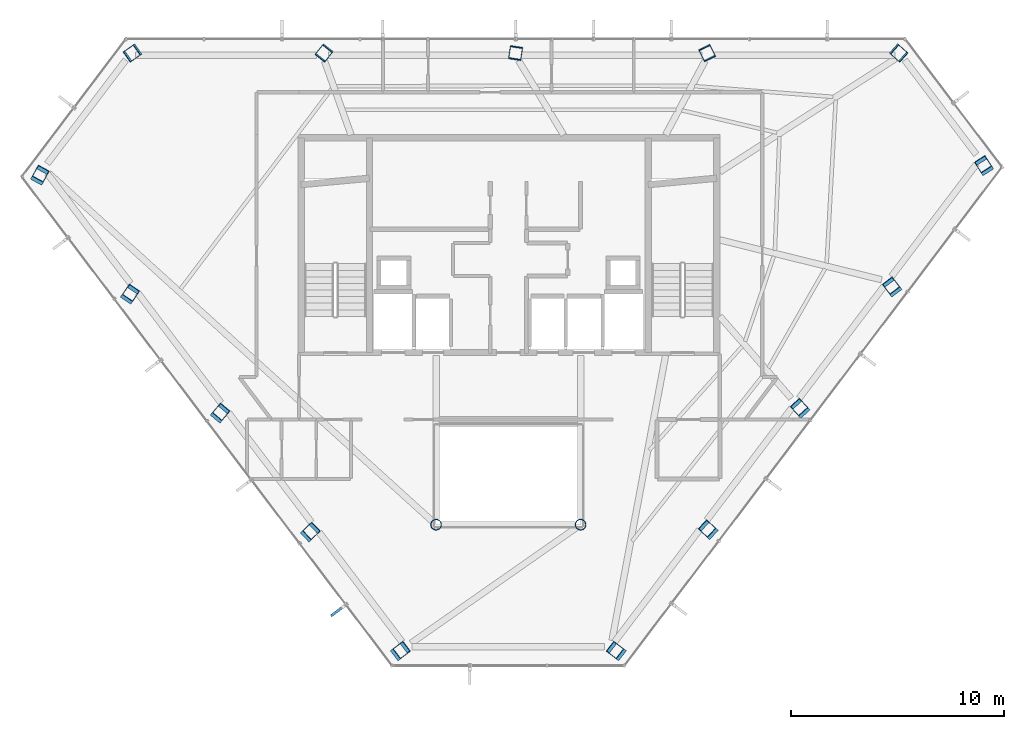
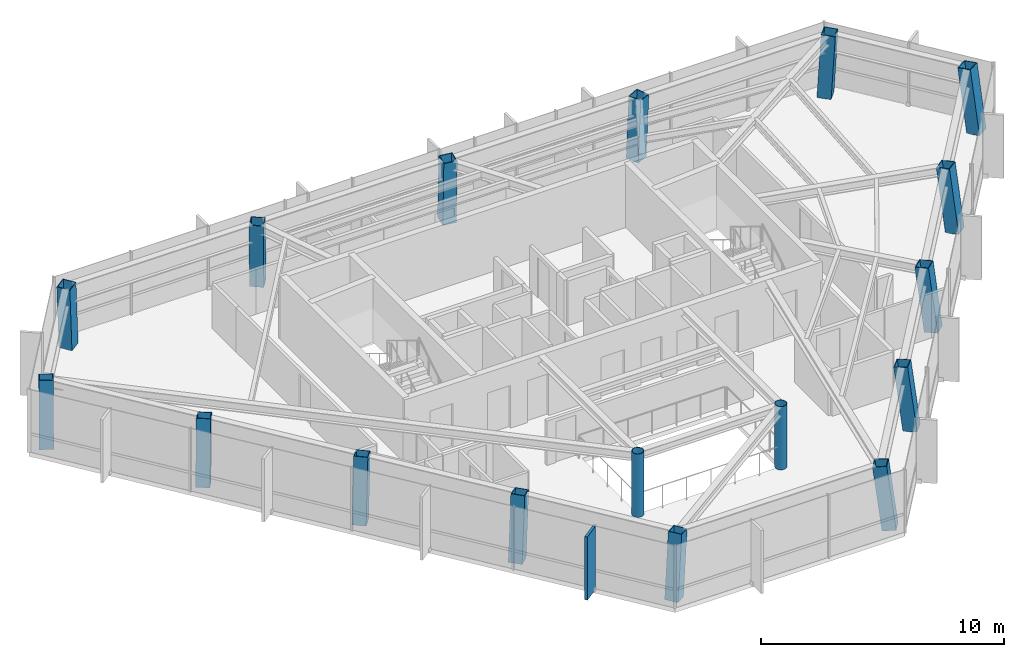
# One storey, part 1 of 25: 17 columns, 1 member, 1 element without a shape of its own.
"""IFC4 building model written with IfcOpenShell, lengths in metres."""

from ifc_helpers import new_model, si_unit, direction, frame, origin, origin_2d, place, context, subcontext, project, spatial, rectangle, hollow_rectangle, hollow_circle, extrude, material, layer, layer_set, material_profile, profile_set, type_object, element, aggregate, save


model = new_model("IFC4")

# Units and contexts
model_context = context("Model", 3, precision=1e-05, world=origin(), true_north=direction((0.0, 1.0)))
body_context = subcontext(model_context, "Body", "Model", "MODEL_VIEW")
ifc_project = project(units=[si_unit("LENGTHUNIT", "METRE"), si_unit("AREAUNIT", "SQUARE_METRE"), si_unit("VOLUMEUNIT", "CUBIC_METRE"), si_unit("PLANEANGLEUNIT", "RADIAN"), si_unit("MASSUNIT", "GRAM", prefix="KILO")], contexts=[model_context])

# Site, building, storey
site_placement = place(None, origin())
site = spatial("IfcSite", under=ifc_project, at=site_placement, CompositionType="ELEMENT")
building_placement = place(site_placement, origin())
building = spatial("IfcBuilding", under=site, at=building_placement, Name="Zarrinselat Tower", CompositionType="ELEMENT")
storey_placement = place(building_placement, frame((0.0, 0.0, 246.159912109375)))
storey = spatial("IfcBuildingStorey", under=building, at=storey_placement, Name="L62", CompositionType="ELEMENT", Elevation=246.159912109375)

# Columns
ifc_material_1 = material(Name="Steel S355J2", Category="steel")
ifc_material_profile_1 = material_profile(ifc_material_1, hollow_circle(Radius=0.25390625, WallThickness=0.02001953125, at=origin_2d()), Name="CHS 508x20")
ifc_profile_set_1 = profile_set([ifc_material_profile_1], Name="Steel S355J2")
column_type_1 = type_object("IfcColumnType", Name="COL-CHS508", PredefinedType="COLUMN", material=ifc_profile_set_1)
for number, where, z_axis, x_axis, name in (
    (1, (35.0, 25.199951171875, 0.0), (0.0, 0.0, 1.0), (1.0, 0.0, 0.0), "L62 Atrium Corner Column 1"),
    (2, (41.800048828125, 25.199951171875, 0.0), (0.0, 0.0, 1.0), (1.0, 0.0, 0.0), "L62 Atrium Corner Column 2"),
):
    element("IfcColumn", number, at=place(storey_placement, frame(where, z_axis=z_axis, x_axis=x_axis)), inside=storey, type_object=column_type_1, Name=name, PredefinedType="COLUMN", context=body_context, shape_type="SweptSolid", body=[
        extrude(hollow_circle(Radius=0.25390625, WallThickness=0.02001953125, at=origin_2d()), origin(), (0.0, 0.0, 1.0), 3.18017578125),
    ])
ifc_material_2 = material(Name="Steel S355J2", Category="steel")
ifc_material_profile_2 = material_profile(ifc_material_2, hollow_rectangle(XDim=0.60009765625, YDim=0.60009765625, WallThickness=0.030029296875, at=origin_2d()), Name="SHS 600x600x30")
ifc_profile_set_2 = profile_set([ifc_material_profile_2], Name="Steel S355J2")
column_type_2 = type_object("IfcColumnType", Name="COL-SHS600", PredefinedType="COLUMN", material=ifc_profile_set_2)
column_1_placement = place(storey_placement, frame((56.74560546875, 47.4111328125, 0.0), z_axis=(0.041162596694, -0.03664007676, 0.99848041814), x_axis=(0.664881694145, 0.746948681498, 0.0)))
element("IfcColumn", 3, at=column_1_placement, inside=storey, type_object=column_type_2, Name="L62 Framed-Tube Column T01", PredefinedType="COLUMN", context=body_context, shape_type="SweptSolid", body=[
    extrude(hollow_rectangle(XDim=0.60009765625, YDim=0.60009765625, WallThickness=0.030029296875, at=origin_2d()), origin(), (0.0, 0.0, 1.0), 3.18505859375),
])
column_2_placement = place(storey_placement, frame((47.7451171875, 47.4111328125, 0.0), z_axis=(0.017795734664, -0.036665349869, 0.999169136807), x_axis=(0.899634918782, 0.436642889451, 0.0)))
element("IfcColumn", 4, at=column_2_placement, inside=storey, type_object=column_type_2, Name="L62 Framed-Tube Column T02", PredefinedType="COLUMN", context=body_context, shape_type="SweptSolid", body=[
    extrude(hollow_rectangle(XDim=0.60009765625, YDim=0.60009765625, WallThickness=0.030029296875, at=origin_2d()), origin(), (0.0, 0.0, 1.0), 3.182861328125),
])
column_3_placement = place(storey_placement, frame((38.744873046875, 47.4111328125, 0.0), z_axis=(-0.005677033238, -0.036670566053, 0.999311283274), x_axis=(0.98822785309, -0.152989249223, 0.0)))
element("IfcColumn", 5, at=column_3_placement, inside=storey, type_object=column_type_2, Name="L62 Framed-Tube Column T03", PredefinedType="COLUMN", context=body_context, shape_type="SweptSolid", body=[
    extrude(hollow_rectangle(XDim=0.60009765625, YDim=0.60009765625, WallThickness=0.030029296875, at=origin_2d()), origin(), (0.0, 0.0, 1.0), 3.182373046875),
])
column_4_placement = place(storey_placement, frame((29.744384765625, 47.4111328125, 0.0), z_axis=(-0.029140422241, -0.036655583766, 0.998903000281), x_axis=(0.782782345555, -0.622295588517, 0.0)))
element("IfcColumn", 6, at=column_4_placement, inside=storey, type_object=column_type_2, Name="L62 Framed-Tube Column T04", PredefinedType="COLUMN", context=body_context, shape_type="SweptSolid", body=[
    extrude(hollow_rectangle(XDim=0.60009765625, YDim=0.60009765625, WallThickness=0.030029296875, at=origin_2d()), origin(), (0.0, 0.0, 1.0), 3.18359375),
])
column_5_placement = place(storey_placement, frame((20.743896484375, 47.4111328125, 0.0), z_axis=(-0.05247934681, -0.036620624489, 0.997950323423), x_axis=(0.572256499627, -0.820074690888, 0.0)))
element("IfcColumn", 7, at=column_5_placement, inside=storey, type_object=column_type_2, Name="L62 Framed-Tube Column T05", PredefinedType="COLUMN", context=body_context, shape_type="SweptSolid", body=[
    extrude(hollow_rectangle(XDim=0.60009765625, YDim=0.60009765625, WallThickness=0.030029296875, at=origin_2d()), origin(), (0.0, 0.0, 1.0), 3.186767578125),
])
column_6_placement = place(storey_placement, frame((16.3232421875, 41.57568359375, 0.0), z_axis=(0.064812301761, 0.117985774684, 0.990897937485), x_axis=(-0.876466342156, 0.48146313573, 0.0)))
element("IfcColumn", 8, at=column_6_placement, inside=storey, type_object=column_type_2, Name="L62 Framed-Tube Column T06", PredefinedType="COLUMN", context=body_context, shape_type="SweptSolid", body=[
    extrude(hollow_rectangle(XDim=0.60009765625, YDim=0.60009765625, WallThickness=0.030029296875, at=origin_2d()), origin(), (0.0, 0.0, 1.0), 3.20947265625),
])
column_7_placement = place(storey_placement, frame((20.55859375, 35.98486328125, 0.0), z_axis=(0.073075454503, 0.107253453537, 0.991542573294), x_axis=(-0.826413430398, 0.563063799278, 0.0)))
element("IfcColumn", 9, at=column_7_placement, inside=storey, type_object=column_type_2, Name="L62 Framed-Tube Column T07", PredefinedType="COLUMN", context=body_context, shape_type="SweptSolid", body=[
    extrude(hollow_rectangle(XDim=0.60009765625, YDim=0.60009765625, WallThickness=0.030029296875, at=origin_2d()), origin(), (0.0, 0.0, 1.0), 3.207275390625),
])
column_8_placement = place(storey_placement, frame((24.7939453125, 30.394287109375, 0.0), z_axis=(0.081334382112, 0.096489384022, 0.992005300922), x_axis=(-0.764598124332, 0.644507337637, 0.0)))
element("IfcColumn", 10, at=column_8_placement, inside=storey, type_object=column_type_2, Name="L62 Framed-Tube Column T08", PredefinedType="COLUMN", context=body_context, shape_type="SweptSolid", body=[
    extrude(hollow_rectangle(XDim=0.60009765625, YDim=0.60009765625, WallThickness=0.030029296875, at=origin_2d()), origin(), (0.0, 0.0, 1.0), 3.205810546875),
])
column_9_placement = place(storey_placement, frame((29.029296875, 24.803466796875, 0.0), z_axis=(0.089585075305, 0.085623830479, 0.992291829018), x_axis=(-0.690943452787, 0.722908808254, 0.0)))
element("IfcColumn", 11, at=column_9_placement, inside=storey, type_object=column_type_2, Name="L62 Framed-Tube Column T09", PredefinedType="COLUMN", context=body_context, shape_type="SweptSolid", body=[
    extrude(hollow_rectangle(XDim=0.60009765625, YDim=0.60009765625, WallThickness=0.030029296875, at=origin_2d()), origin(), (0.0, 0.0, 1.0), 3.204833984375),
])
for number, where, z_axis, x_axis, name in (
    (12, (33.264892578125, 19.212646484375, 0.0), (0.097670832964, 0.074814943815, 0.992402706854), (-0.608093484943, 0.793865425353, 0.0), "L62 Framed-Tube Column T10"),
    (13, (43.53515625, 19.212646484375, 0.0), (-0.097746291632, 0.074814386892, 0.99239531941), (-0.607794654234, -0.79409423766, 0.0), "L62 Framed-Tube Column T11"),
):
    element("IfcColumn", number, at=place(storey_placement, frame(where, z_axis=z_axis, x_axis=x_axis)), inside=storey, type_object=column_type_2, Name=name, PredefinedType="COLUMN", context=body_context, shape_type="SweptSolid", body=[
        extrude(hollow_rectangle(XDim=0.60009765625, YDim=0.60009765625, WallThickness=0.030029296875, at=origin_2d()), origin(), (0.0, 0.0, 1.0), 3.20458984375),
    ])
column_10_placement = place(storey_placement, frame((47.856689453125, 24.917236328125, 0.0), z_axis=(-0.090883552994, 0.083798749617, 0.99232955683), x_axis=(-0.67787047936, -0.73518134716, 0.0)))
element("IfcColumn", 14, at=column_10_placement, inside=storey, type_object=column_type_2, Name="L62 Framed-Tube Column T12", PredefinedType="COLUMN", context=body_context, shape_type="SweptSolid", body=[
    extrude(hollow_rectangle(XDim=0.60009765625, YDim=0.60009765625, WallThickness=0.030029296875, at=origin_2d()), origin(), (0.0, 0.0, 1.0), 3.204833984375),
])
column_11_placement = place(storey_placement, frame((52.178466796875, 30.62158203125, 0.0), z_axis=(-0.084162242109, 0.092768878632, 0.992124312856), x_axis=(-0.740627546931, -0.671915795861, 0.0)))
element("IfcColumn", 15, at=column_11_placement, inside=storey, type_object=column_type_2, Name="L62 Framed-Tube Column T13", PredefinedType="COLUMN", context=body_context, shape_type="SweptSolid", body=[
    extrude(hollow_rectangle(XDim=0.60009765625, YDim=0.60009765625, WallThickness=0.030029296875, at=origin_2d()), origin(), (0.0, 0.0, 1.0), 3.205322265625),
])
column_12_placement = place(storey_placement, frame((56.5, 36.326416015625, 0.0), z_axis=(-0.077358900823, 0.101647768305, 0.991808112319), x_axis=(-0.795760000333, -0.605612105122, 0.0)))
element("IfcColumn", 16, at=column_12_placement, inside=storey, type_object=column_type_2, Name="L62 Framed-Tube Column T14", PredefinedType="COLUMN", context=body_context, shape_type="SweptSolid", body=[
    extrude(hollow_rectangle(XDim=0.60009765625, YDim=0.60009765625, WallThickness=0.030029296875, at=origin_2d()), origin(), (0.0, 0.0, 1.0), 3.20654296875),
])
column_13_placement = place(storey_placement, frame((60.821533203125, 42.03076171875, 0.0), z_axis=(-0.070474747742, 0.110582946512, 0.991365080014), x_axis=(-0.843302825125, -0.537438689653, 0.0)))
element("IfcColumn", 17, at=column_13_placement, inside=storey, type_object=column_type_2, Name="L62 Framed-Tube Column T15", PredefinedType="COLUMN", context=body_context, shape_type="SweptSolid", body=[
    extrude(hollow_rectangle(XDim=0.60009765625, YDim=0.60009765625, WallThickness=0.030029296875, at=origin_2d()), origin(), (0.0, 0.0, 1.0), 3.207763671875),
])

# Curtain wall, member
ifc_material_3 = material(Name="Extruded Aluminium Alloy EN AW-6063 T6", Category="aluminium")
ifc_layer = layer(ifc_material_3, 0.169921875)
ifc_layer_set = layer_set([ifc_layer], Name="Extruded Aluminium Alloy EN AW-6063 T6")
curtain_wall_type = type_object("IfcCurtainWallType", Name="CWS-RES", PredefinedType="NOTDEFINED", material=ifc_layer_set)
curtain_wall_placement = place(storey_placement, origin())
curtain_wall = element("IfcCurtainWall", 18, at=curtain_wall_placement, inside=storey, type_object=curtain_wall_type, Name="L62 Unitised Curtain Wall CW-L62-E03", PredefinedType="NOTDEFINED")
ifc_material_4 = material(Name="Honed Cream Travertine Stone", Category="masonry")
ifc_material_profile_3 = material_profile(ifc_material_4, rectangle(XDim=0.1201171875, YDim=0.85009765625, at=origin_2d()), Name="FIN 850x120")
ifc_profile_set_3 = profile_set([ifc_material_profile_3], Name="Honed Cream Travertine Stone")
member_type = type_object("IfcMemberType", Name="MEM-STONE-FIN", PredefinedType="USERDEFINED", material=ifc_profile_set_3)
member_placement = place(storey_placement, frame((30.395751953125, 21.16162109375, 0.0), z_axis=(0.0, 0.0, 1.0), x_axis=(-0.603857888062, 0.797091996588, 0.0)))
member = element("IfcMember", 19, at=member_placement, type_object=member_type, Name="L62 Stone Shading Fin CW-L62-E03-07", ObjectType="FIN", PredefinedType="USERDEFINED", context=body_context, shape_type="SweptSolid", body=[
    extrude(rectangle(XDim=0.1201171875, YDim=0.85009765625, at=origin_2d()), origin(), (0.0, 0.0, 1.0), 3.18017578125),
])
aggregate(curtain_wall, [member])

save(model, "model.ifc")
